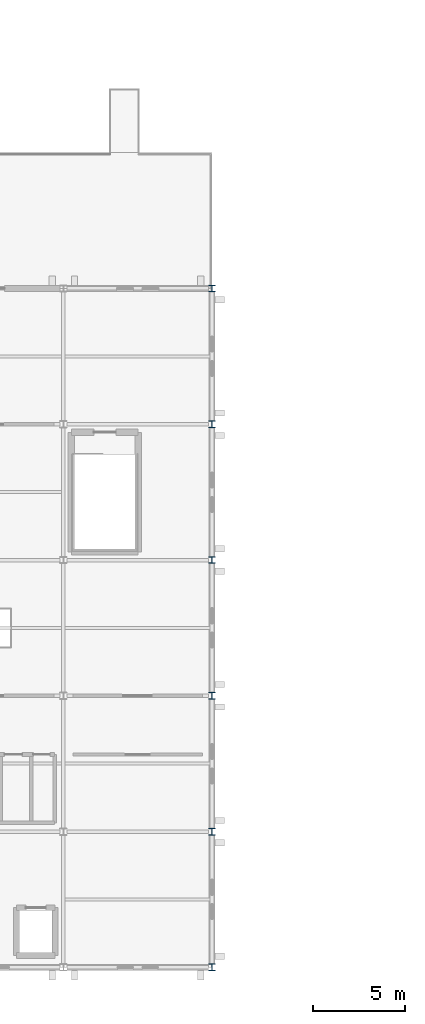
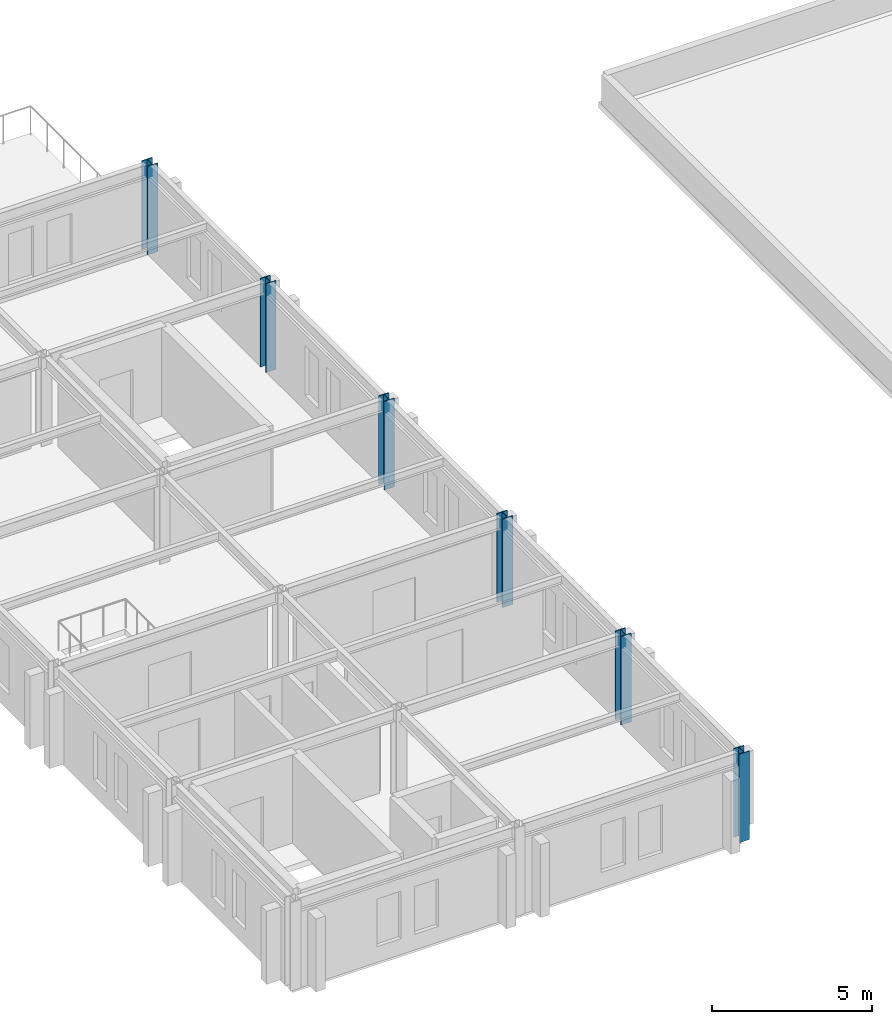
# One storey, part 5 of 19: 6 columns.
"""IFC4 building model written with IfcOpenShell, lengths in metres."""

from ifc_helpers import new_model, si_unit, direction, frame, origin, origin_2d, place, context, subcontext, project, spatial, i_section, extrude, material, material_profile, profile_set, type_object, element, save


model = new_model("IFC4")

# Units and contexts
model_context = context("Model", 3, precision=1e-05, world=origin(), true_north=direction((0.0, 1.0)))
body_context = subcontext(model_context, "Body", "Model", "MODEL_VIEW")
ifc_project = project(units=[si_unit("LENGTHUNIT", "METRE"), si_unit("AREAUNIT", "SQUARE_METRE"), si_unit("VOLUMEUNIT", "CUBIC_METRE"), si_unit("PLANEANGLEUNIT", "RADIAN"), si_unit("MASSUNIT", "GRAM", prefix="KILO")], contexts=[model_context])

# Site, building, storey
site_placement = place(None, origin())
site = spatial("IfcSite", under=ifc_project, at=site_placement, CompositionType="ELEMENT")
building_placement = place(site_placement, origin())
building = spatial("IfcBuilding", under=site, at=building_placement, Name="Cimatlan Art Gallery", CompositionType="ELEMENT")
storey_placement = place(building_placement, frame((0.0, 0.0, 17.39990234375)))
storey = spatial("IfcBuildingStorey", under=building, at=storey_placement, Name="L04", CompositionType="ELEMENT", Elevation=17.39990234375)

# Columns
ifc_material = material(Name="Steel ASTM A992 Grade 50", Category="steel")
ifc_material_profile = material_profile(ifc_material, i_section(OverallWidth=0.3740234375, OverallDepth=0.3720703125, WebThickness=0.016357421875, FlangeThickness=0.026123046875, at=origin_2d()), Name="W14X132")
ifc_profile_set = profile_set([ifc_material_profile], Name="Steel ASTM A992 Grade 50")
column_type = type_object("IfcColumnType", Name="COL-STL-W14X132", PredefinedType="COLUMN", material=ifc_profile_set)
for number, where, z_axis, x_axis, name in (
    (1, (131.60009765625, 23.89990234375, 0.0), (0.0, 0.0, 1.0), (1.0, 0.0, 0.0), "COL-L04-16-03"),
    (2, (131.60009765625, 31.300048828125, 0.0), (0.0, 0.0, 1.0), (1.0, 0.0, 0.0), "COL-L04-16-04"),
    (3, (131.60009765625, 38.699951171875, 0.0), (0.0, 0.0, 1.0), (1.0, 0.0, 0.0), "COL-L04-16-05"),
    (4, (131.60009765625, 46.10009765625, 0.0), (0.0, 0.0, 1.0), (1.0, 0.0, 0.0), "COL-L04-16-06"),
    (5, (131.60009765625, 53.5, 0.0), (0.0, 0.0, 1.0), (1.0, 0.0, 0.0), "COL-L04-16-07"),
    (6, (131.60009765625, 60.89990234375, 0.0), (0.0, 0.0, 1.0), (1.0, 0.0, 0.0), "COL-L04-16-08"),
):
    element("IfcColumn", number, at=place(storey_placement, frame(where, z_axis=z_axis, x_axis=x_axis)), inside=storey, type_object=column_type, Name=name, PredefinedType="COLUMN", context=body_context, shape_type="SweptSolid", body=[
        extrude(i_section(OverallWidth=0.3740234375, OverallDepth=0.3720703125, WebThickness=0.016357421875, FlangeThickness=0.026123046875, at=origin_2d()), origin(), (0.0, 0.0, 1.0), 3.380126953125),
    ])

save(model, "model.ifc")
